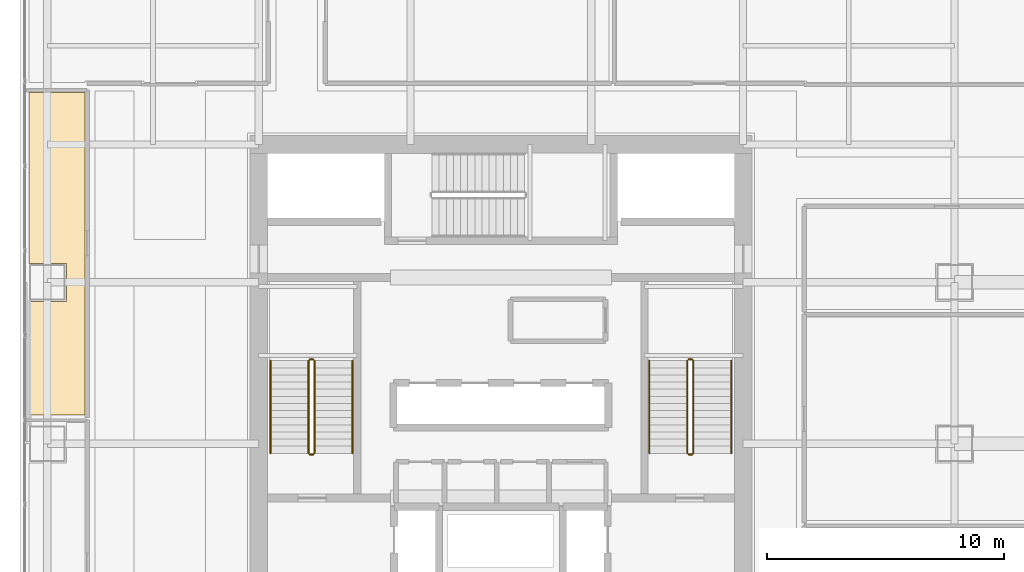
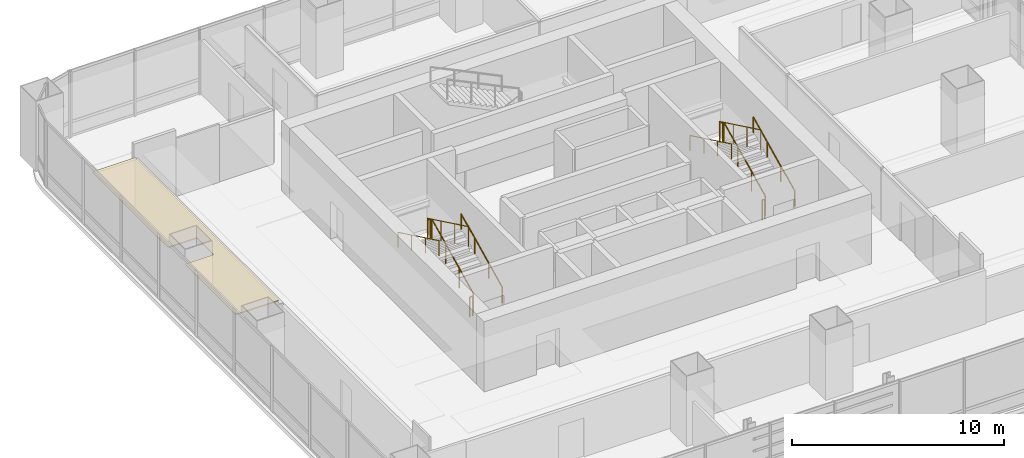
# One storey, part 32 of 35: 12 railings, 1 covering.
"""IFC4 building model written with IfcOpenShell, lengths in metres."""

import ifcopenshell
import ifcopenshell.guid

model = None  # the IFC model being written
_history = None  # IfcOwnerHistory: only IFC2X3 demands one
_inside = {}  # id of a spatial element -> (the spatial element, [elements in it])
_under = {}  # id of a project, library or spatial element -> (it, [spatial elements below it])
_declared = {}  # id of a project -> (the project, [libraries it declares])
_typed = {}  # id of a type object -> (the type object, [elements of that type])
_made_of = {}  # id of a material, layer set ... -> (it, [elements and type objects made of it])


def new_model(schema):
    """Start an empty IFC model of exactly this schema.

    Asked for "IFC4X3", IfcOpenShell would pick the latest addendum, in which some entities
    have other attributes; the version numbers below select the first issue.
    IFC2X3 requires an IfcOwnerHistory on every rooted entity: one is made here for all.
    """
    global model, _history
    if schema == "IFC4X3":
        model = ifcopenshell.file(schema_version=(4, 3, 0, 0))
    else:
        model = ifcopenshell.file(schema=schema)
    _inside.clear()
    _under.clear()
    _declared.clear()
    _typed.clear()
    _made_of.clear()
    _history = None
    if model.schema == "IFC2X3":
        org = make("IfcOrganization", Name="unknown")
        user = make(
            "IfcPersonAndOrganization",
            ThePerson=make("IfcPerson", FamilyName="unknown"),
            TheOrganization=org,
        )
        app = make(
            "IfcApplication",
            ApplicationDeveloper=org,
            Version="unknown",
            ApplicationFullName="unknown",
            ApplicationIdentifier="unknown",
        )
        _history = make(
            "IfcOwnerHistory",
            OwningUser=user,
            OwningApplication=app,
            ChangeAction="ADDED",
            CreationDate=0,
        )
    return model


def make(cls, **values):
    """One entity of the class cls with the attributes given. An attribute that is None is left unset."""
    return model.create_entity(
        cls, **{name: value for name, value in values.items() if value is not None}
    )


def rooted(cls, **values):
    """An entity with a GlobalId (a new one), such as an element, a storey or a relation."""
    return make(cls, GlobalId=ifcopenshell.guid.new(), OwnerHistory=_history, **values)


def si_unit(unit_type, name, prefix=None):
    """IfcSIUnit, for example si_unit("LENGTHUNIT", "METRE", prefix="MILLI")."""
    return make("IfcSIUnit", UnitType=unit_type, Prefix=prefix, Name=name)


def assignment(units):
    """IfcUnitAssignment: the units of a project."""
    return None if units is None else make("IfcUnitAssignment", Units=units)


def point(xyz):
    """IfcCartesianPoint."""
    return None if xyz is None else make("IfcCartesianPoint", Coordinates=xyz)


def direction(xyz):
    """IfcDirection."""
    return None if xyz is None else make("IfcDirection", DirectionRatios=xyz)


def frame(location, z_axis=None, x_axis=None):
    """IfcAxis2Placement3D, a coordinate frame: its origin and axes. An axis left out is left unset."""
    return make(
        "IfcAxis2Placement3D",
        Location=point(location),
        Axis=direction(z_axis),
        RefDirection=direction(x_axis),
    )


def frame_2d(location, x_axis=None):
    """IfcAxis2Placement2D, a coordinate frame in the plane: its origin and x axis."""
    return make(
        "IfcAxis2Placement2D", Location=point(location), RefDirection=direction(x_axis)
    )


def origin():
    """The frame at (0, 0, 0) with its axes left unset."""
    return frame((0.0, 0.0, 0.0))


def origin_2d():
    """The frame at (0, 0) in the plane with its x axis left unset."""
    return frame_2d((0.0, 0.0))


def place(relative_to, where):
    """IfcLocalPlacement: puts the frame where relative to a parent placement (None: the world)."""
    return make(
        "IfcLocalPlacement", PlacementRelTo=relative_to, RelativePlacement=where
    )


def context(
    kind, dimensions, precision=None, world=None, true_north=None, identifier=None
):
    """IfcGeometricRepresentationContext, for example the 3D "Model" context."""
    return make(
        "IfcGeometricRepresentationContext",
        ContextIdentifier=identifier,
        ContextType=kind,
        CoordinateSpaceDimension=dimensions,
        Precision=precision,
        WorldCoordinateSystem=world,
        TrueNorth=true_north,
    )


def subcontext(parent, identifier, kind, view, scale=None):
    """IfcGeometricRepresentationSubContext, for example "Body" below "Model"."""
    return make(
        "IfcGeometricRepresentationSubContext",
        ContextIdentifier=identifier,
        ContextType=kind,
        ParentContext=parent,
        TargetScale=scale,
        TargetView=view,
    )


def project(units=None, contexts=None):
    """IfcProject with its units and contexts."""
    return rooted(
        "IfcProject",
        Name="project",
        RepresentationContexts=contexts,
        UnitsInContext=assignment(units),
    )


def spatial(cls, under=None, at=None, **own):
    """A site, building, storey or space (cls), placed at a placement, below another one or the project."""
    s = rooted(cls, ObjectPlacement=at, **own)
    if under is not None:
        _under.setdefault(under.id(), (under, []))[1].append(s)
    return s


def polyline(points):
    """IfcPolyline through the points."""
    return make("IfcPolyline", Points=[point(p) for p in points])


def profile(cls, at=None, kind="AREA", **sizes):
    """A parametric profile (cls). Its sizes go by their IFC names, for example OverallWidth=200.0."""
    return make(cls, ProfileType=kind, Position=at, **sizes)


def circle(**sizes):
    """IfcCircleProfileDef."""
    return profile("IfcCircleProfileDef", **sizes)


def outline(outer, holes=None, kind="AREA"):
    """IfcArbitraryClosedProfileDef: a profile drawn as a closed curve; with holes, ...WithVoids."""
    if holes is None:
        return make("IfcArbitraryClosedProfileDef", ProfileType=kind, OuterCurve=outer)
    return make(
        "IfcArbitraryProfileDefWithVoids",
        ProfileType=kind,
        OuterCurve=outer,
        InnerCurves=holes,
    )


def extrude(swept, where, along, depth):
    """IfcExtrudedAreaSolid: the profile swept, set in the frame where, extruded along a direction by depth."""
    return make(
        "IfcExtrudedAreaSolid",
        SweptArea=swept,
        Position=where,
        ExtrudedDirection=direction(along),
        Depth=depth,
    )


def shape(context_of_items, identifier, shape_type, items):
    """IfcShapeRepresentation: the items that make up one representation, for example the "Body"."""
    return make(
        "IfcShapeRepresentation",
        ContextOfItems=context_of_items,
        RepresentationIdentifier=identifier,
        RepresentationType=shape_type,
        Items=items,
    )


def material(Name=None, Category=None):
    """IfcMaterial."""
    return make("IfcMaterial", Name=Name, Category=Category)


def layer(
    of_material, thickness, ventilated=None, Name=None, Category=None, Priority=None
):
    """IfcMaterialLayer: one layer of a wall or slab, of a material (None: an air gap)."""
    return make(
        "IfcMaterialLayer",
        Material=of_material,
        LayerThickness=thickness,
        IsVentilated=ventilated,
        Name=Name,
        Category=Category,
        Priority=Priority,
    )


def layer_set(layers, Name=None):
    """IfcMaterialLayerSet."""
    return make("IfcMaterialLayerSet", MaterialLayers=layers, LayerSetName=Name)


def made_of(thing, what):
    """Note that an element or type object is made of a material, layer set ...; save() writes the relation."""
    if what is not None:
        _made_of.setdefault(what.id(), (what, []))[1].append(thing)
    return thing


def type_object(cls, material=None, **own):
    """A type object (cls), such as IfcWallType, which elements share."""
    return made_of(rooted(cls, **own), material)


def element(
    cls,
    number,
    at=None,
    inside=None,
    cuts=None,
    type_object=None,
    material=None,
    context=None,
    identifier="Body",
    shape_type=None,
    held_by="IfcProductDefinitionShape",
    body=None,
    shapes=None,
    **own,
):
    """One element of the class cls, such as IfcWall. Its Tag is "e" and its number.

    at: its placement. inside: the storey or other place that contains it. cuts: it is an
    opening in that element (IfcRelVoidsElement). A single representation is given by context,
    identifier, shape_type and body (its items); several are given by shapes. held_by: the class
    of the entity that holds the representations. save() writes the other relations.
    """
    e = rooted(cls, Tag="e%d" % number, ObjectPlacement=at, **own)
    if body is not None:
        shapes = [shape(context, identifier, shape_type, body)]
    if shapes is not None:
        e.Representation = make(held_by, Representations=shapes)
    if inside is not None:
        _inside.setdefault(inside.id(), (inside, []))[1].append(e)
    if cuts is not None:
        rooted(
            "IfcRelVoidsElement", RelatingBuildingElement=cuts, RelatedOpeningElement=e
        )
    if type_object is not None:
        _typed.setdefault(type_object.id(), (type_object, []))[1].append(e)
    return made_of(e, material)


def aggregate(whole, parts):
    """IfcRelAggregates: a whole, such as a stair, and the parts it consists of."""
    return rooted("IfcRelAggregates", RelatingObject=whole, RelatedObjects=parts)


def save(model, path):
    """Write the relations noted so far, then the file.

    IfcRelAggregates (storeys below a building ...), IfcRelContainedInSpatialStructure (elements
    in a storey), IfcRelDefinesByType, IfcRelAssociatesMaterial and IfcRelDeclares: one each for
    every whole, place, type object, material and project.
    """
    for whole, parts in _under.values():
        aggregate(whole, parts)
    for where, things in _inside.values():
        rooted(
            "IfcRelContainedInSpatialStructure",
            RelatedElements=things,
            RelatingStructure=where,
        )
    for kind, things in _typed.values():
        rooted("IfcRelDefinesByType", RelatedObjects=things, RelatingType=kind)
    for what, things in _made_of.values():
        rooted("IfcRelAssociatesMaterial", RelatedObjects=things, RelatingMaterial=what)
    for by, libraries in _declared.values():
        rooted("IfcRelDeclares", RelatingContext=by, RelatedDefinitions=libraries)
    model.write(path)


model = new_model("IFC4")

# Units and contexts
model_context = context("Model", 3, precision=1e-05, world=origin(), true_north=direction((0.0, 1.0)))
body_context = subcontext(model_context, "Body", "Model", "MODEL_VIEW")
ifc_project = project(units=[si_unit("LENGTHUNIT", "METRE"), si_unit("AREAUNIT", "SQUARE_METRE"), si_unit("VOLUMEUNIT", "CUBIC_METRE"), si_unit("PLANEANGLEUNIT", "RADIAN"), si_unit("MASSUNIT", "GRAM", prefix="KILO")], contexts=[model_context])

# Site, building, storey
site_placement = place(None, origin())
site = spatial("IfcSite", under=ifc_project, at=site_placement, CompositionType="ELEMENT")
building_placement = place(site_placement, origin())
building = spatial("IfcBuilding", under=site, at=building_placement, Name="Punatoya Terracotta Tower", CompositionType="ELEMENT")
storey_placement = place(building_placement, frame((0.0, 0.0, 72.75)))
storey = spatial("IfcBuildingStorey", under=building, at=storey_placement, Name="L16", CompositionType="ELEMENT", Elevation=72.75)

# Covering
ifc_material_1 = material(Name="Acoustic Mineral Fibre Ceiling")
ifc_layer = layer(ifc_material_1, 0.06005859375)
ifc_layer_set = layer_set([ifc_layer], Name="Acoustic Mineral Fibre Ceiling")
covering_type = type_object("IfcCoveringType", Name="COV-CEIL-60", PredefinedType="CEILING", material=ifc_layer_set)
covering_placement = place(storey_placement, frame((0.0, 0.0, 3.199951171875)))
element("IfcCovering", 1, at=covering_placement, inside=storey, type_object=covering_type, Name="L16 Open-Plan Wellness Focus Room Acoustic Ceiling", PredefinedType="CEILING", context=body_context, shape_type="SweptSolid", body=[
    extrude(outline(polyline([(-19.8701171875, 2.60009765625), (-19.8701171875, -2.18994140625), (-17.52001953125, -2.18994140625), (-17.52001953125, 11.389892578125), (-19.8701171875, 11.389892578125), (-19.8701171875, 4.199951171875), (-18.300048828125, 4.199951171875), (-18.300048828125, 2.60009765625), (-19.8701171875, 2.60009765625)])), origin(), (0.0, 0.0, 1.0), 0.06005859375),
])

# Railings
ifc_material_2 = material(Name="Steel S355", Category="steel")
railing_type_1 = type_object("IfcRailingType", Name="RLG-GRD-1150", PredefinedType="GUARDRAIL", material=ifc_material_2)
railing_1_placement = place(storey_placement, frame((-7.85009765625, -3.800048828125, 0.14453125)))
element("IfcRailing", 2, at=railing_1_placement, inside=storey, type_object=railing_type_1, Name="L16 ST-1 stair guard 1", PredefinedType="GUARDRAIL", context=body_context, shape_type="SweptSolid", body=[
    extrude(circle(Radius=0.02392578125, at=origin_2d()), frame((0.0, 0.0, 1.1259765625), z_axis=(0.0, 0.900773802044, 0.434288564841), x_axis=(-1.0, 0.0, 0.0)), (0.0, 0.0, 1.0), 4.329833984375),
    extrude(circle(Radius=0.02099609375, at=origin_2d()), origin(), (0.0, 0.0, 1.0), 1.101806640625),
    extrude(circle(Radius=0.02099609375, at=origin_2d()), frame((0.0, 1.300048828125, 0.626708984375)), (0.0, 0.0, 1.0), 1.101806640625),
    extrude(circle(Radius=0.02099609375, at=origin_2d()), frame((0.0, 2.60009765625, 1.253662109375)), (0.0, 0.0, 1.0), 1.101806640625),
    extrude(circle(Radius=0.02099609375, at=origin_2d()), frame((0.0, 3.900146484375, 1.88037109375)), (0.0, 0.0, 1.0), 1.101806640625),
])
railing_2_placement = place(storey_placement, frame((-7.89990234375, 0.14990234375, 2.02490234375)))
element("IfcRailing", 3, at=railing_2_placement, inside=storey, type_object=railing_type_1, Name="L16 ST-1 stair guard 2", PredefinedType="GUARDRAIL", context=body_context, shape_type="SweptSolid", body=[
    extrude(circle(Radius=0.02392578125, at=origin_2d()), frame((0.0, 0.0, 1.1259765625), z_axis=(-1.0, 0.0, 0.0), x_axis=(0.0, -1.0, 0.0)), (0.0, 0.0, 1.0), 0.150146484375),
    extrude(circle(Radius=0.02099609375, at=origin_2d()), origin(), (0.0, 0.0, 1.0), 1.101806640625),
    extrude(circle(Radius=0.02099609375, at=origin_2d()), frame((-0.150146484375, 0.0, 0.0)), (0.0, 0.0, 1.0), 1.101806640625),
])
railing_3_placement = place(storey_placement, frame((-8.10009765625, 0.10009765625, 2.169677734375)))
element("IfcRailing", 4, at=railing_3_placement, inside=storey, type_object=railing_type_1, Name="L16 ST-1 stair guard 3", PredefinedType="GUARDRAIL", context=body_context, shape_type="SweptSolid", body=[
    extrude(circle(Radius=0.02392578125, at=origin_2d()), frame((0.0, 0.0, 1.1259765625), z_axis=(0.0, -0.900773802044, 0.434288564841), x_axis=(1.0, 0.0, 0.0)), (0.0, 0.0, 1.0), 4.329833984375),
    extrude(circle(Radius=0.02099609375, at=origin_2d()), origin(), (0.0, 0.0, 1.0), 1.101806640625),
    extrude(circle(Radius=0.02099609375, at=origin_2d()), frame((0.0, -1.300048828125, 0.626708984375)), (0.0, 0.0, 1.0), 1.101806640625),
    extrude(circle(Radius=0.02099609375, at=origin_2d()), frame((0.0, -2.60009765625, 1.253662109375)), (0.0, 0.0, 1.0), 1.101806640625),
    extrude(circle(Radius=0.02099609375, at=origin_2d()), frame((0.0, -3.900146484375, 1.88037109375)), (0.0, 0.0, 1.0), 1.101806640625),
])
railing_4_placement = place(storey_placement, frame((-7.89990234375, -3.85009765625, 0.0)))
element("IfcRailing", 5, at=railing_4_placement, inside=storey, type_object=railing_type_1, Name="L16 ST-1 stair guard 4", PredefinedType="GUARDRAIL", context=body_context, shape_type="SweptSolid", body=[
    extrude(circle(Radius=0.02392578125, at=origin_2d()), frame((0.0, 0.0, 1.1259765625), z_axis=(-1.0, 0.0, 0.0), x_axis=(0.0, -1.0, 0.0)), (0.0, 0.0, 1.0), 0.150146484375),
    extrude(circle(Radius=0.02099609375, at=origin_2d()), origin(), (0.0, 0.0, 1.0), 1.101806640625),
    extrude(circle(Radius=0.02099609375, at=origin_2d()), frame((-0.150146484375, 0.0, 0.0)), (0.0, 0.0, 1.0), 1.101806640625),
])
railing_5_placement = place(storey_placement, frame((8.10009765625, -3.800048828125, 0.14453125)))
element("IfcRailing", 6, at=railing_5_placement, inside=storey, type_object=railing_type_1, Name="L16 ST-2 stair guard 1", PredefinedType="GUARDRAIL", context=body_context, shape_type="SweptSolid", body=[
    extrude(circle(Radius=0.02392578125, at=origin_2d()), frame((0.0, 0.0, 1.1259765625), z_axis=(0.0, 0.900773802044, 0.434288564841), x_axis=(-1.0, 0.0, 0.0)), (0.0, 0.0, 1.0), 4.329833984375),
    extrude(circle(Radius=0.02099609375, at=origin_2d()), origin(), (0.0, 0.0, 1.0), 1.101806640625),
    extrude(circle(Radius=0.02099609375, at=origin_2d()), frame((0.0, 1.300048828125, 0.626708984375)), (0.0, 0.0, 1.0), 1.101806640625),
    extrude(circle(Radius=0.02099609375, at=origin_2d()), frame((0.0, 2.60009765625, 1.253662109375)), (0.0, 0.0, 1.0), 1.101806640625),
    extrude(circle(Radius=0.02099609375, at=origin_2d()), frame((0.0, 3.900146484375, 1.88037109375)), (0.0, 0.0, 1.0), 1.101806640625),
])
railing_6_placement = place(storey_placement, frame((8.050048828125, 0.14990234375, 2.02490234375)))
element("IfcRailing", 7, at=railing_6_placement, inside=storey, type_object=railing_type_1, Name="L16 ST-2 stair guard 2", PredefinedType="GUARDRAIL", context=body_context, shape_type="SweptSolid", body=[
    extrude(circle(Radius=0.02392578125, at=origin_2d()), frame((0.0, 0.0, 1.1259765625), z_axis=(-1.0, 0.0, 0.0), x_axis=(0.0, -1.0, 0.0)), (0.0, 0.0, 1.0), 0.150146484375),
    extrude(circle(Radius=0.02099609375, at=origin_2d()), origin(), (0.0, 0.0, 1.0), 1.101806640625),
    extrude(circle(Radius=0.02099609375, at=origin_2d()), frame((-0.150146484375, 0.0, 0.0)), (0.0, 0.0, 1.0), 1.101806640625),
])
railing_7_placement = place(storey_placement, frame((7.85009765625, 0.10009765625, 2.169677734375)))
element("IfcRailing", 8, at=railing_7_placement, inside=storey, type_object=railing_type_1, Name="L16 ST-2 stair guard 3", PredefinedType="GUARDRAIL", context=body_context, shape_type="SweptSolid", body=[
    extrude(circle(Radius=0.02392578125, at=origin_2d()), frame((0.0, 0.0, 1.1259765625), z_axis=(0.0, -0.900773802044, 0.434288564841), x_axis=(1.0, 0.0, 0.0)), (0.0, 0.0, 1.0), 4.329833984375),
    extrude(circle(Radius=0.02099609375, at=origin_2d()), origin(), (0.0, 0.0, 1.0), 1.101806640625),
    extrude(circle(Radius=0.02099609375, at=origin_2d()), frame((0.0, -1.300048828125, 0.626708984375)), (0.0, 0.0, 1.0), 1.101806640625),
    extrude(circle(Radius=0.02099609375, at=origin_2d()), frame((0.0, -2.60009765625, 1.253662109375)), (0.0, 0.0, 1.0), 1.101806640625),
    extrude(circle(Radius=0.02099609375, at=origin_2d()), frame((0.0, -3.900146484375, 1.88037109375)), (0.0, 0.0, 1.0), 1.101806640625),
])
railing_8_placement = place(storey_placement, frame((8.050048828125, -3.85009765625, 0.0)))
element("IfcRailing", 9, at=railing_8_placement, inside=storey, type_object=railing_type_1, Name="L16 ST-2 stair guard 4", PredefinedType="GUARDRAIL", context=body_context, shape_type="SweptSolid", body=[
    extrude(circle(Radius=0.02392578125, at=origin_2d()), frame((0.0, 0.0, 1.1259765625), z_axis=(-1.0, 0.0, 0.0), x_axis=(0.0, -1.0, 0.0)), (0.0, 0.0, 1.0), 0.150146484375),
    extrude(circle(Radius=0.02099609375, at=origin_2d()), origin(), (0.0, 0.0, 1.0), 1.101806640625),
    extrude(circle(Radius=0.02099609375, at=origin_2d()), frame((-0.150146484375, 0.0, 0.0)), (0.0, 0.0, 1.0), 1.101806640625),
])
railing_type_2 = type_object("IfcRailingType", Name="RLG-HND-900", PredefinedType="HANDRAIL", material=ifc_material_2)
railing_9_placement = place(storey_placement, frame((-6.25, -3.800048828125, 0.14453125)))
element("IfcRailing", 10, at=railing_9_placement, inside=storey, type_object=railing_type_2, Name="L16 ST-1 stair handrail 1", PredefinedType="HANDRAIL", context=body_context, shape_type="SweptSolid", body=[
    extrude(circle(Radius=0.02392578125, at=origin_2d()), frame((0.0, 0.0, 0.8759765625), z_axis=(0.0, 0.900773802044, 0.434288564841), x_axis=(-1.0, 0.0, 0.0)), (0.0, 0.0, 1.0), 4.329833984375),
    extrude(circle(Radius=0.02099609375, at=origin_2d()), origin(), (0.0, 0.0, 1.0), 0.851806640625),
    extrude(circle(Radius=0.02099609375, at=origin_2d()), frame((0.0, 1.300048828125, 0.626708984375)), (0.0, 0.0, 1.0), 0.851806640625),
    extrude(circle(Radius=0.02099609375, at=origin_2d()), frame((0.0, 2.60009765625, 1.253662109375)), (0.0, 0.0, 1.0), 0.851806640625),
    extrude(circle(Radius=0.02099609375, at=origin_2d()), frame((0.0, 3.900146484375, 1.88037109375)), (0.0, 0.0, 1.0), 0.851806640625),
])
railing_10_placement = place(storey_placement, frame((-9.699951171875, 0.10009765625, 2.169677734375)))
element("IfcRailing", 11, at=railing_10_placement, inside=storey, type_object=railing_type_2, Name="L16 ST-1 stair handrail 2", PredefinedType="HANDRAIL", context=body_context, shape_type="SweptSolid", body=[
    extrude(circle(Radius=0.02392578125, at=origin_2d()), frame((0.0, 0.0, 0.8759765625), z_axis=(0.0, -0.900773802044, 0.434288564841), x_axis=(1.0, 0.0, 0.0)), (0.0, 0.0, 1.0), 4.329833984375),
    extrude(circle(Radius=0.02099609375, at=origin_2d()), origin(), (0.0, 0.0, 1.0), 0.851806640625),
    extrude(circle(Radius=0.02099609375, at=origin_2d()), frame((0.0, -1.300048828125, 0.626708984375)), (0.0, 0.0, 1.0), 0.851806640625),
    extrude(circle(Radius=0.02099609375, at=origin_2d()), frame((0.0, -2.60009765625, 1.253662109375)), (0.0, 0.0, 1.0), 0.851806640625),
    extrude(circle(Radius=0.02099609375, at=origin_2d()), frame((0.0, -3.900146484375, 1.88037109375)), (0.0, 0.0, 1.0), 0.851806640625),
])
railing_11_placement = place(storey_placement, frame((9.699951171875, -3.800048828125, 0.14453125)))
element("IfcRailing", 12, at=railing_11_placement, inside=storey, type_object=railing_type_2, Name="L16 ST-2 stair handrail 1", PredefinedType="HANDRAIL", context=body_context, shape_type="SweptSolid", body=[
    extrude(circle(Radius=0.02392578125, at=origin_2d()), frame((0.0, 0.0, 0.8759765625), z_axis=(0.0, 0.900773802044, 0.434288564841), x_axis=(-1.0, 0.0, 0.0)), (0.0, 0.0, 1.0), 4.329833984375),
    extrude(circle(Radius=0.02099609375, at=origin_2d()), origin(), (0.0, 0.0, 1.0), 0.851806640625),
    extrude(circle(Radius=0.02099609375, at=origin_2d()), frame((0.0, 1.300048828125, 0.626708984375)), (0.0, 0.0, 1.0), 0.851806640625),
    extrude(circle(Radius=0.02099609375, at=origin_2d()), frame((0.0, 2.60009765625, 1.253662109375)), (0.0, 0.0, 1.0), 0.851806640625),
    extrude(circle(Radius=0.02099609375, at=origin_2d()), frame((0.0, 3.900146484375, 1.88037109375)), (0.0, 0.0, 1.0), 0.851806640625),
])
railing_12_placement = place(storey_placement, frame((6.25, 0.10009765625, 2.169677734375)))
element("IfcRailing", 13, at=railing_12_placement, inside=storey, type_object=railing_type_2, Name="L16 ST-2 stair handrail 2", PredefinedType="HANDRAIL", context=body_context, shape_type="SweptSolid", body=[
    extrude(circle(Radius=0.02392578125, at=origin_2d()), frame((0.0, 0.0, 0.8759765625), z_axis=(0.0, -0.900773802044, 0.434288564841), x_axis=(1.0, 0.0, 0.0)), (0.0, 0.0, 1.0), 4.329833984375),
    extrude(circle(Radius=0.02099609375, at=origin_2d()), origin(), (0.0, 0.0, 1.0), 0.851806640625),
    extrude(circle(Radius=0.02099609375, at=origin_2d()), frame((0.0, -1.300048828125, 0.626708984375)), (0.0, 0.0, 1.0), 0.851806640625),
    extrude(circle(Radius=0.02099609375, at=origin_2d()), frame((0.0, -2.60009765625, 1.253662109375)), (0.0, 0.0, 1.0), 0.851806640625),
    extrude(circle(Radius=0.02099609375, at=origin_2d()), frame((0.0, -3.900146484375, 1.88037109375)), (0.0, 0.0, 1.0), 0.851806640625),
])

save(model, "model.ifc")
